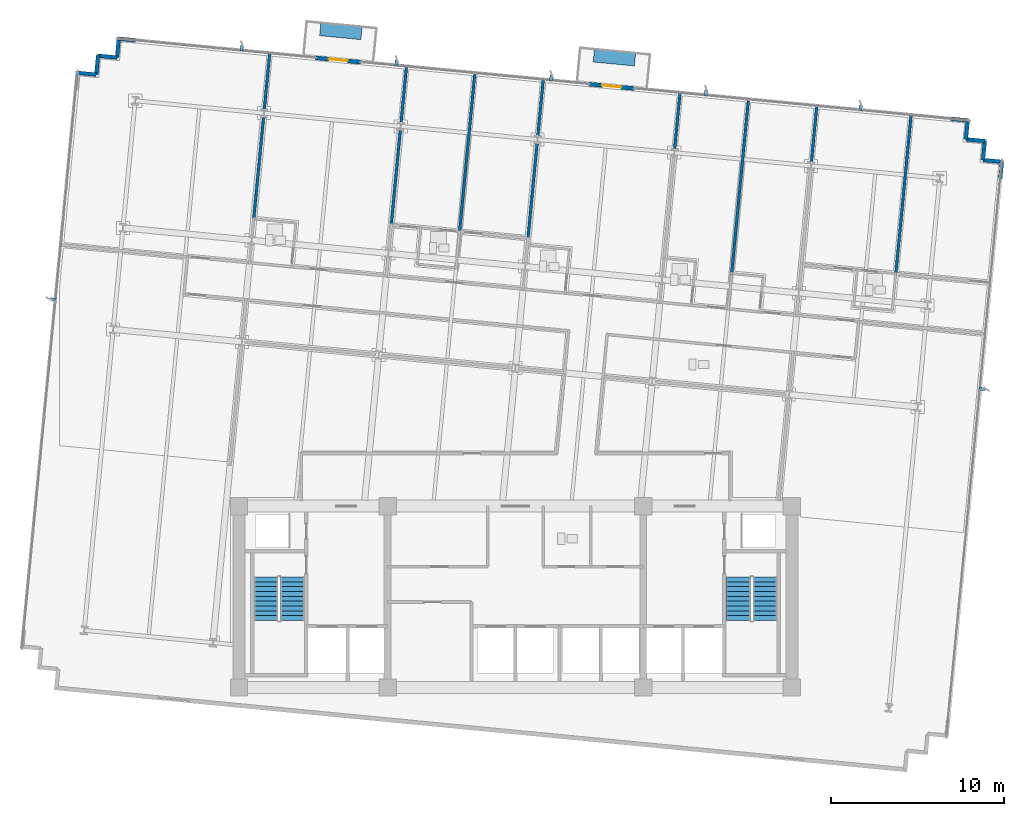
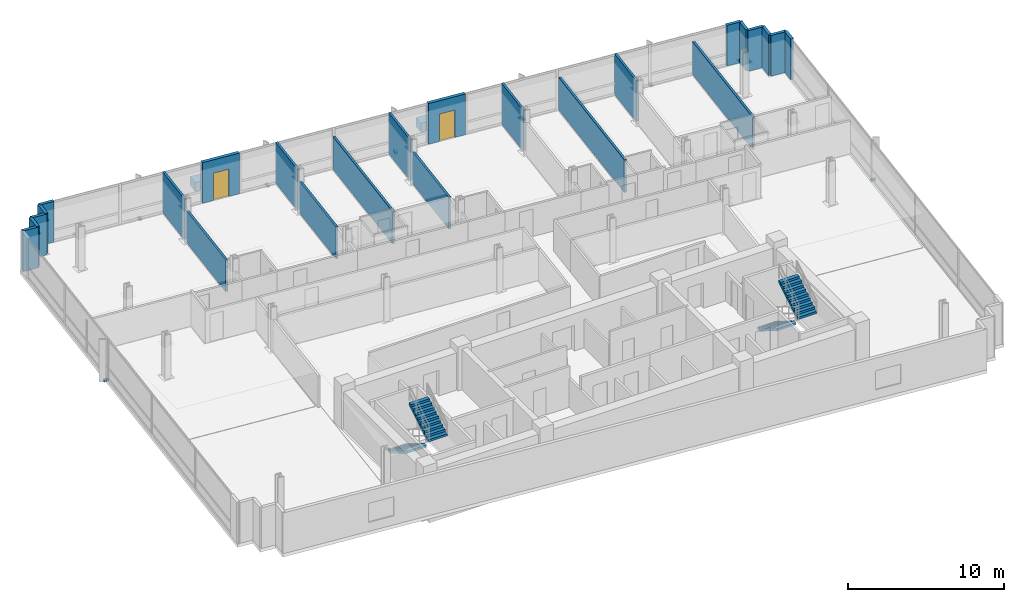
# One storey, part 13 of 17: 24 walls, 9 discrete accessories, 4 stair flights, 2 doors, 2 openings, 2 elements without a shape of their own.
"""IFC4 building model written with IfcOpenShell, lengths in metres."""

from ifc_helpers import new_model, si_unit, direction, frame, frame_2d, origin, origin_2d, place, context, subcontext, project, spatial, polyline, rectangle, outline, extrude, material, layer, layer_set, type_object, element, fill, aggregate, save


model = new_model("IFC4")

# Units and contexts
model_context = context("Model", 3, precision=1e-05, world=origin(), true_north=direction((0.0, 1.0)))
body_context = subcontext(model_context, "Body", "Model", "MODEL_VIEW")
ifc_project = project(units=[si_unit("LENGTHUNIT", "METRE"), si_unit("AREAUNIT", "SQUARE_METRE"), si_unit("VOLUMEUNIT", "CUBIC_METRE"), si_unit("PLANEANGLEUNIT", "RADIAN"), si_unit("MASSUNIT", "GRAM", prefix="KILO")], contexts=[model_context])

# Site, building, storey
site_placement = place(None, origin())
site = spatial("IfcSite", under=ifc_project, at=site_placement, CompositionType="ELEMENT")
building_placement = place(site_placement, origin())
building = spatial("IfcBuilding", under=site, at=building_placement, Name="Solmavex Isthmus Hotel", CompositionType="ELEMENT")
storey_placement = place(building_placement, frame((0.0, 0.0, 142.800048828125)))
storey = spatial("IfcBuildingStorey", under=building, at=storey_placement, Name="L38", CompositionType="ELEMENT", Elevation=142.800048828125)

# Wall, opening, door
ifc_material_1 = material(Name="Precast Concrete C40/50", Category="concrete")
ifc_layer_1 = layer(ifc_material_1, 0.25)
ifc_layer_set_1 = layer_set([ifc_layer_1], Name="Precast Concrete C40/50")
wall_type_1 = type_object("IfcWallType", Name="EW-TWR-250", PredefinedType="STANDARD", material=ifc_layer_set_1)
wall_1_placement = place(storey_placement, frame((-11.5634765625, 23.46142578125, 0.0), z_axis=(0.0, 0.0, 1.0), x_axis=(0.995402144456, -0.095783979938, 0.0)))
wall_1 = element("IfcWall", 1, at=wall_1_placement, inside=storey, type_object=wall_type_1, Name="Exterior Balcony Door Wall L38-2", PredefinedType="STANDARD", context=body_context, shape_type="SweptSolid", body=[
    extrude(rectangle(XDim=2.599853515625, YDim=0.239990234375, at=frame_2d((1.2998046875, 0.0))), origin(), (0.0, 0.0, 1.0), 3.18994140625),
])
opening_1_placement = place(wall_1_placement, frame((0.75, 0.0, 0.0)))
opening_1 = element("IfcOpeningElement", 2, at=opening_1_placement, cuts=wall_1, Name="Opening ED-02", PredefinedType="OPENING", context=body_context, shape_type="SweptSolid", body=[
    extrude(rectangle(XDim=1.10009765625, YDim=2.14990234375, at=frame_2d((0.550048828125, 1.074951171875))), frame((0.0, 0.1298828125, 0.0), z_axis=(0.0, -1.0, 0.0), x_axis=(1.0, 0.0, 0.0)), (0.0, 0.0, 1.0), 0.260009765625),
])
ifc_material_2 = material(Name="Aluminium alloy 6063-T6", Category="aluminium")
door_type = type_object("IfcDoorType", Name="EDR-BALC-1100", OperationType="NOTDEFINED", PredefinedType="DOOR", material=ifc_material_2)
door_1_placement = place(opening_1_placement, origin())
door_1 = element("IfcDoor", 3, at=door_1_placement, inside=storey, type_object=door_type, Name="Balcony & Terrace Glazed Door L38-2", OperationType="SINGLE_SWING_RIGHT", OverallHeight=2.14990234375, OverallWidth=1.10009765625, PredefinedType="DOOR", context=body_context, shape_type="SweptSolid", body=[
    extrude(rectangle(XDim=1.10009765625, YDim=2.14990234375, at=frame_2d((0.550048828125, 1.074951171875))), frame((0.0, 0.02490234375, 0.0), z_axis=(0.0, -1.0, 0.0), x_axis=(1.0, 0.0, 0.0)), (0.0, 0.0, 1.0), 0.050048828125),
])
fill(opening_1, door_1)

wall_2_placement = place(storey_placement, frame((4.275146484375, 21.9365234375, 0.0), z_axis=(0.0, 0.0, 1.0), x_axis=(0.995394049959, -0.095868061976, 0.0)))
wall_2 = element("IfcWall", 4, at=wall_2_placement, inside=storey, type_object=wall_type_1, Name="Exterior Balcony Door Wall L38-3", PredefinedType="STANDARD", context=body_context, shape_type="SweptSolid", body=[
    extrude(rectangle(XDim=2.60009765625, YDim=0.239990234375, at=frame_2d((1.300048828125, 0.0))), origin(), (0.0, 0.0, 1.0), 3.18994140625),
])
opening_2_placement = place(wall_2_placement, frame((0.75, 0.0, 0.0)))
opening_2 = element("IfcOpeningElement", 5, at=opening_2_placement, cuts=wall_2, Name="Opening ED-02", PredefinedType="OPENING", context=body_context, shape_type="SweptSolid", body=[
    extrude(rectangle(XDim=1.10009765625, YDim=2.14990234375, at=frame_2d((0.550048828125, 1.074951171875))), frame((0.0, 0.1298828125, 0.0), z_axis=(0.0, -1.0, 0.0), x_axis=(1.0, 0.0, 0.0)), (0.0, 0.0, 1.0), 0.260009765625),
])
door_2_placement = place(opening_2_placement, origin())
door_2 = element("IfcDoor", 6, at=door_2_placement, inside=storey, type_object=door_type, Name="Balcony & Terrace Glazed Door L38-3", OperationType="SINGLE_SWING_LEFT", OverallHeight=2.14990234375, OverallWidth=1.10009765625, PredefinedType="DOOR", context=body_context, shape_type="SweptSolid", body=[
    extrude(rectangle(XDim=1.10009765625, YDim=2.14990234375, at=frame_2d((0.550048828125, 1.074951171875))), frame((0.0, 0.02490234375, 0.0), z_axis=(0.0, -1.0, 0.0), x_axis=(1.0, 0.0, 0.0)), (0.0, 0.0, 1.0), 0.050048828125),
])
fill(opening_2, door_2)

# Walls
for number, where, z_axis, x_axis, name in (
    (7, (-25.366455078125, 22.59033203125, 0.0), (0.0, 0.0, 1.0), (0.995414313875, -0.095657429048, 0.0), "Serrated Corner Facade Panel L38-08"),
    (8, (-24.271484375, 22.485107421875, 0.0), (0.0, 0.0, 1.0), (0.095657429048, 0.995414313875, 0.0), "Serrated Corner Facade Panel L38-09"),
    (9, (-24.166259765625, 23.580078125, 0.0), (0.0, 0.0, 1.0), (0.995393156894, -0.095877334176, 0.0), "Serrated Corner Facade Panel L38-10"),
    (10, (-23.0712890625, 23.474609375, 0.0), (0.0, 0.0, 1.0), (0.095877334176, 0.995393156894, 0.0), "Serrated Corner Facade Panel L38-11"),
):
    element("IfcWall", number, at=place(storey_placement, frame(where, z_axis=z_axis, x_axis=x_axis)), inside=storey, type_object=wall_type_1, Name=name, PredefinedType="STANDARD", context=body_context, shape_type="SweptSolid", body=[
        extrude(rectangle(XDim=1.10009765625, YDim=0.219970703125, at=frame_2d((0.550048828125, 0.0))), origin(), (0.0, 0.0, 1.0), 3.18994140625),
    ])
for number, where, z_axis, x_axis, name in (
    (11, (-22.9658203125, 24.569580078125, 0.0), (0.0, 0.0, 1.0), (0.995387314086, -0.095937974524, 0.0), "Serrated Corner Facade Panel L38-12"),
    (12, (25.201416015625, 19.931396484375, 0.0), (0.0, 0.0, 1.0), (0.99541083642, -0.095693608655, 0.0), "Serrated Corner Facade Panel L38-14"),
):
    element("IfcWall", number, at=place(storey_placement, frame(where, z_axis=z_axis, x_axis=x_axis)), inside=storey, type_object=wall_type_1, Name=name, PredefinedType="STANDARD", context=body_context, shape_type="SweptSolid", body=[
        extrude(rectangle(XDim=0.989990234375, YDim=0.219970703125, at=frame_2d((0.4951171875, 0.0))), origin(), (0.0, 0.0, 1.0), 3.18994140625),
    ])
wall_3_placement = place(storey_placement, frame((26.186767578125, 19.836669921875, 0.0), z_axis=(0.0, 0.0, 1.0), x_axis=(-0.095657429048, -0.995414313875, 0.0)))
element("IfcWall", 13, at=wall_3_placement, inside=storey, type_object=wall_type_1, Name="Serrated Corner Facade Panel L38-15", PredefinedType="STANDARD", context=body_context, shape_type="SweptSolid", body=[
    extrude(rectangle(XDim=1.10009765625, YDim=0.219970703125, at=frame_2d((0.550048828125, 0.0))), origin(), (0.0, 0.0, 1.0), 3.18994140625),
])
wall_4_placement = place(storey_placement, frame((26.08154296875, 18.74169921875, 0.0), z_axis=(0.0, 0.0, 1.0), x_axis=(0.995391116058, -0.095898519656, 0.0)))
element("IfcWall", 14, at=wall_4_placement, inside=storey, type_object=wall_type_1, Name="Serrated Corner Facade Panel L38-16", PredefinedType="STANDARD", context=body_context, shape_type="SweptSolid", body=[
    extrude(rectangle(XDim=1.099853515625, YDim=0.219970703125, at=frame_2d((0.5498046875, 0.0))), origin(), (0.0, 0.0, 1.0), 3.18994140625),
])
wall_5_placement = place(storey_placement, frame((27.17626953125, 18.63623046875, 0.0), z_axis=(0.0, 0.0, 1.0), x_axis=(-0.095657429048, -0.995414313875, 0.0)))
element("IfcWall", 15, at=wall_5_placement, inside=storey, type_object=wall_type_1, Name="Serrated Corner Facade Panel L38-17", PredefinedType="STANDARD", context=body_context, shape_type="SweptSolid", body=[
    extrude(rectangle(XDim=1.10009765625, YDim=0.219970703125, at=frame_2d((0.550048828125, 0.0))), origin(), (0.0, 0.0, 1.0), 3.18994140625),
])
wall_6_placement = place(storey_placement, frame((27.071044921875, 17.541259765625, 0.0), z_axis=(0.0, 0.0, 1.0), x_axis=(0.995391116058, -0.095898519656, 0.0)))
element("IfcWall", 16, at=wall_6_placement, inside=storey, type_object=wall_type_1, Name="Serrated Corner Facade Panel L38-18", PredefinedType="STANDARD", context=body_context, shape_type="SweptSolid", body=[
    extrude(rectangle(XDim=1.099853515625, YDim=0.219970703125, at=frame_2d((0.5498046875, 0.0))), origin(), (0.0, 0.0, 1.0), 3.18994140625),
])
wall_7_placement = place(storey_placement, frame((28.165771484375, 17.435791015625, 0.0), z_axis=(0.0, 0.0, 1.0), x_axis=(-0.095693608655, -0.99541083642, 0.0)))
element("IfcWall", 17, at=wall_7_placement, inside=storey, type_object=wall_type_1, Name="Serrated Corner Facade Panel L38-19", PredefinedType="STANDARD", context=body_context, shape_type="SweptSolid", body=[
    extrude(rectangle(XDim=0.989990234375, YDim=0.219970703125, at=frame_2d((0.4951171875, 0.0))), origin(), (0.0, 0.0, 1.0), 3.18994140625),
])
ifc_material_3 = material(Name="Gypsum plasterboard lining", Category="gypsum")
ifc_layer_2 = layer(ifc_material_3, 0.159912109375)
ifc_layer_set_2 = layer_set([ifc_layer_2], Name="Gypsum plasterboard lining")
wall_type_2 = type_object("IfcWallType", Name="IW-COMP-160", PredefinedType="PARTITIONING", material=ifc_layer_set_2)
wall_8_placement = place(storey_placement, frame((-14.57958984375, 20.0791015625, 0.0), z_axis=(0.0, 0.0, 1.0), x_axis=(-0.095823018237, -0.995398387168, 0.0)))
element("IfcWall", 18, at=wall_8_placement, inside=storey, type_object=wall_type_2, Name="Interior Partition Wall W-L38-P026", PredefinedType="PARTITIONING", context=body_context, shape_type="SweptSolid", body=[
    extrude(rectangle(XDim=6.05615234375, YDim=0.159912109375, at=frame_2d((3.028076171875, 0.0))), origin(), (0.0, 0.0, 1.0), 2.4794921875),
])
wall_9_placement = place(storey_placement, frame((-14.225341796875, 23.758056640625, 0.0), z_axis=(0.0, 0.0, 1.0), x_axis=(-0.095859866796, -0.995394839216, 0.0)))
element("IfcWall", 19, at=wall_9_placement, inside=storey, type_object=wall_type_2, Name="Interior Partition Wall W-L38-P027", PredefinedType="PARTITIONING", context=body_context, shape_type="SweptSolid", body=[
    extrude(rectangle(XDim=3.343994140625, YDim=0.159912109375, at=frame_2d((1.671875, 0.0))), origin(), (0.0, 0.0, 1.0), 3.18994140625),
])
wall_10_placement = place(storey_placement, frame((-6.66015625, 19.31640625, 0.0), z_axis=(0.0, 0.0, 1.0), x_axis=(-0.095877964448, -0.995393096185, 0.0)))
element("IfcWall", 20, at=wall_10_placement, inside=storey, type_object=wall_type_2, Name="Interior Partition Wall W-L38-P035", PredefinedType="PARTITIONING", context=body_context, shape_type="SweptSolid", body=[
    extrude(rectangle(XDim=5.64794921875, YDim=0.159912109375, at=frame_2d((2.823974609375, 0.0))), origin(), (0.0, 0.0, 1.0), 2.4794921875),
])
wall_11_placement = place(storey_placement, frame((-6.305908203125, 22.995361328125, 0.0), z_axis=(0.0, 0.0, 1.0), x_axis=(-0.095859866796, -0.995394839216, 0.0)))
element("IfcWall", 21, at=wall_11_placement, inside=storey, type_object=wall_type_2, Name="Interior Partition Wall W-L38-P036", PredefinedType="PARTITIONING", context=body_context, shape_type="SweptSolid", body=[
    extrude(rectangle(XDim=3.343994140625, YDim=0.159912109375, at=frame_2d((1.671875, 0.0))), origin(), (0.0, 0.0, 1.0), 3.18994140625),
])
wall_12_placement = place(storey_placement, frame((-2.35791015625, 22.49462890625, 0.0), z_axis=(0.0, 0.0, 1.0), x_axis=(-0.095827921947, -0.995397915095, 0.0)))
element("IfcWall", 22, at=wall_12_placement, inside=storey, type_object=wall_type_2, Name="Interior Partition Wall W-L38-P044", PredefinedType="PARTITIONING", context=body_context, shape_type="SweptSolid", body=[
    extrude(rectangle(XDim=9.181884765625, YDim=0.159912109375, at=frame_2d((4.5908203125, 0.0))), origin(), (0.0, 0.0, 1.0), 2.557373046875),
])
wall_13_placement = place(storey_placement, frame((1.259033203125, 18.553955078125, 0.0), z_axis=(0.0, 0.0, 1.0), x_axis=(-0.095807834241, -0.995399848753, 0.0)))
element("IfcWall", 23, at=wall_13_placement, inside=storey, type_object=wall_type_2, Name="Interior Partition Wall W-L38-P046", PredefinedType="PARTITIONING", context=body_context, shape_type="SweptSolid", body=[
    extrude(rectangle(XDim=5.606201171875, YDim=0.159912109375, at=frame_2d((2.80322265625, 0.0))), origin(), (0.0, 0.0, 1.0), 2.4794921875),
])
for number, where, z_axis, x_axis, name in (
    (24, (1.61328125, 22.23291015625, 0.0), (0.0, 0.0, 1.0), (-0.095787528641, -0.99540180297, 0.0), "Interior Partition Wall W-L38-P047"),
    (25, (9.53271484375, 21.470458984375, 0.0), (0.0, 0.0, 1.0), (-0.095859866796, -0.995394839216, 0.0), "Interior Partition Wall W-L38-P051"),
):
    element("IfcWall", number, at=place(storey_placement, frame(where, z_axis=z_axis, x_axis=x_axis)), inside=storey, type_object=wall_type_2, Name=name, PredefinedType="PARTITIONING", context=body_context, shape_type="SweptSolid", body=[
        extrude(rectangle(XDim=3.343994140625, YDim=0.159912109375, at=frame_2d((1.671875, 0.0))), origin(), (0.0, 0.0, 1.0), 3.18994140625),
    ])
wall_14_placement = place(storey_placement, frame((13.48095703125, 20.9697265625, 0.0), z_axis=(0.0, 0.0, 1.0), x_axis=(-0.095852900965, -0.995395510024, 0.0)))
element("IfcWall", 26, at=wall_14_placement, inside=storey, type_object=wall_type_2, Name="Interior Partition Wall W-L38-P056", PredefinedType="PARTITIONING", context=body_context, shape_type="SweptSolid", body=[
    extrude(rectangle(XDim=10.132080078125, YDim=0.159912109375, at=frame_2d((5.06591796875, 0.0))), origin(), (0.0, 0.0, 1.0), 2.557373046875),
])
wall_15_placement = place(storey_placement, frame((17.4521484375, 20.707763671875, 0.0), z_axis=(0.0, 0.0, 1.0), x_axis=(-0.095859866796, -0.995394839216, 0.0)))
element("IfcWall", 27, at=wall_15_placement, inside=storey, type_object=wall_type_2, Name="Interior Partition Wall W-L38-P063", PredefinedType="PARTITIONING", context=body_context, shape_type="SweptSolid", body=[
    extrude(rectangle(XDim=3.343994140625, YDim=0.159912109375, at=frame_2d((1.671875, 0.0))), origin(), (0.0, 0.0, 1.0), 3.18994140625),
])
wall_16_placement = place(storey_placement, frame((22.910888671875, 20.18212890625, 0.0), z_axis=(0.0, 0.0, 1.0), x_axis=(-0.095851937807, -0.995395602772, 0.0)))
element("IfcWall", 28, at=wall_16_placement, inside=storey, type_object=wall_type_2, Name="Interior Partition Wall W-L38-P070", PredefinedType="PARTITIONING", context=body_context, shape_type="SweptSolid", body=[
    extrude(rectangle(XDim=9.3017578125, YDim=0.159912109375, at=frame_2d((4.65087890625, 0.0))), origin(), (0.0, 0.0, 1.0), 2.557373046875),
])

# Stair, stair flights
ifc_material_4 = material(Name="Concrete C40/50", Category="concrete")
stair_type_1 = type_object("IfcStairType", Name="STR-ST-1", PredefinedType="HALF_TURN_STAIR", material=ifc_material_4)
stair_1_placement = place(storey_placement, origin())
stair_1 = element("IfcStair", 29, at=stair_1_placement, inside=storey, type_object=stair_type_1, Name="L38 Protected Exit Stair ST-1", PredefinedType="HALF_TURN_STAIR")
stair_flight_type_1 = type_object("IfcStairFlightType", Name="SFL-ST-1", PredefinedType="STRAIGHT", material=ifc_material_4)
stair_flight_1_placement = place(storey_placement, frame((-14.449951171875, -6.60009765625, 0.0), z_axis=(0.0, 0.0, 1.0), x_axis=(0.0, -1.0, 0.0)))
stair_flight_1 = element("IfcStairFlight", 30, at=stair_flight_1_placement, type_object=stair_flight_type_1, Name="ST-1 flight 1", NumberOfRisers=10, NumberOfTreads=9, PredefinedType="STRAIGHT", RiserHeight=0.1725, TreadLength=0.28, context=body_context, shape_type="SweptSolid", body=[
    extrude(outline(polyline([(0.0, 0.0), (0.0, 0.172607421875), (0.280029296875, 0.172607421875), (0.280029296875, 0.344970703125), (0.56005859375, 0.344970703125), (0.56005859375, 0.517578125), (0.840087890625, 0.517578125), (0.840087890625, 0.68994140625), (1.1201171875, 0.68994140625), (1.1201171875, 0.862548828125), (1.39990234375, 0.862548828125), (1.39990234375, 1.034912109375), (1.679931640625, 1.034912109375), (1.679931640625, 1.20751953125), (1.9599609375, 1.20751953125), (1.9599609375, 1.3798828125), (2.239990234375, 1.3798828125), (2.239990234375, 1.552490234375), (2.52001953125, 1.552490234375), (2.52001953125, 1.72509765625), (2.52001953125, 1.37646484375), (0.285888671875, 0.0), (0.0, 0.0)])), frame((0.0, 0.699951171875, 0.0), z_axis=(0.0, -1.0, 0.0), x_axis=(1.0, 0.0, 0.0)), (0.0, 0.0, 1.0), 1.39990234375),
])
stair_flight_2_placement = place(storey_placement, frame((-12.89990234375, -9.1201171875, 1.724853515625), z_axis=(0.0, 0.0, 1.0), x_axis=(0.0, 1.0, 0.0)))
stair_flight_2 = element("IfcStairFlight", 31, at=stair_flight_2_placement, type_object=stair_flight_type_1, Name="ST-1 flight 2", NumberOfRisers=10, NumberOfTreads=9, PredefinedType="STRAIGHT", RiserHeight=0.1725, TreadLength=0.28, context=body_context, shape_type="SweptSolid", body=[
    extrude(outline(polyline([(0.0, 0.0), (0.0, 0.172607421875), (0.280029296875, 0.172607421875), (0.280029296875, 0.344970703125), (0.56005859375, 0.344970703125), (0.56005859375, 0.517578125), (0.840087890625, 0.517578125), (0.840087890625, 0.68994140625), (1.1201171875, 0.68994140625), (1.1201171875, 0.862548828125), (1.39990234375, 0.862548828125), (1.39990234375, 1.034912109375), (1.679931640625, 1.034912109375), (1.679931640625, 1.20751953125), (1.9599609375, 1.20751953125), (1.9599609375, 1.3798828125), (2.239990234375, 1.3798828125), (2.239990234375, 1.552490234375), (2.52001953125, 1.552490234375), (2.52001953125, 1.72509765625), (2.52001953125, 1.37646484375), (0.285888671875, 0.0), (0.0, 0.0)])), frame((0.0, 0.699951171875, 0.0), z_axis=(0.0, -1.0, 0.0), x_axis=(1.0, 0.0, 0.0)), (0.0, 0.0, 1.0), 1.39990234375),
])
aggregate(stair_1, [stair_flight_1, stair_flight_2])

stair_type_2 = type_object("IfcStairType", Name="STR-ST-2", PredefinedType="HALF_TURN_STAIR", material=ifc_material_4)
stair_2_placement = place(storey_placement, origin())
stair_2 = element("IfcStair", 32, at=stair_2_placement, inside=storey, type_object=stair_type_2, Name="L38 Protected Exit Stair ST-2", PredefinedType="HALF_TURN_STAIR")
stair_flight_type_2 = type_object("IfcStairFlightType", Name="SFL-ST-2", PredefinedType="STRAIGHT", material=ifc_material_4)
stair_flight_3_placement = place(storey_placement, frame((12.89990234375, -6.60009765625, 0.0), z_axis=(0.0, 0.0, 1.0), x_axis=(0.0, -1.0, 0.0)))
stair_flight_3 = element("IfcStairFlight", 33, at=stair_flight_3_placement, type_object=stair_flight_type_2, Name="ST-2 flight 1", NumberOfRisers=10, NumberOfTreads=9, PredefinedType="STRAIGHT", RiserHeight=0.1725, TreadLength=0.28, context=body_context, shape_type="SweptSolid", body=[
    extrude(outline(polyline([(0.0, 0.0), (0.0, 0.172607421875), (0.280029296875, 0.172607421875), (0.280029296875, 0.344970703125), (0.56005859375, 0.344970703125), (0.56005859375, 0.517578125), (0.840087890625, 0.517578125), (0.840087890625, 0.68994140625), (1.1201171875, 0.68994140625), (1.1201171875, 0.862548828125), (1.39990234375, 0.862548828125), (1.39990234375, 1.034912109375), (1.679931640625, 1.034912109375), (1.679931640625, 1.20751953125), (1.9599609375, 1.20751953125), (1.9599609375, 1.3798828125), (2.239990234375, 1.3798828125), (2.239990234375, 1.552490234375), (2.52001953125, 1.552490234375), (2.52001953125, 1.72509765625), (2.52001953125, 1.37646484375), (0.285888671875, 0.0), (0.0, 0.0)])), frame((0.0, 0.699951171875, 0.0), z_axis=(0.0, -1.0, 0.0), x_axis=(1.0, 0.0, 0.0)), (0.0, 0.0, 1.0), 1.39990234375),
])
stair_flight_4_placement = place(storey_placement, frame((14.449951171875, -9.1201171875, 1.724853515625), z_axis=(0.0, 0.0, 1.0), x_axis=(0.0, 1.0, 0.0)))
stair_flight_4 = element("IfcStairFlight", 34, at=stair_flight_4_placement, type_object=stair_flight_type_2, Name="ST-2 flight 2", NumberOfRisers=10, NumberOfTreads=9, PredefinedType="STRAIGHT", RiserHeight=0.1725, TreadLength=0.28, context=body_context, shape_type="SweptSolid", body=[
    extrude(outline(polyline([(0.0, 0.0), (0.0, 0.172607421875), (0.280029296875, 0.172607421875), (0.280029296875, 0.344970703125), (0.56005859375, 0.344970703125), (0.56005859375, 0.517578125), (0.840087890625, 0.517578125), (0.840087890625, 0.68994140625), (1.1201171875, 0.68994140625), (1.1201171875, 0.862548828125), (1.39990234375, 0.862548828125), (1.39990234375, 1.034912109375), (1.679931640625, 1.034912109375), (1.679931640625, 1.20751953125), (1.9599609375, 1.20751953125), (1.9599609375, 1.3798828125), (2.239990234375, 1.3798828125), (2.239990234375, 1.552490234375), (2.52001953125, 1.552490234375), (2.52001953125, 1.72509765625), (2.52001953125, 1.37646484375), (0.285888671875, 0.0), (0.0, 0.0)])), frame((0.0, 0.699951171875, 0.0), z_axis=(0.0, -1.0, 0.0), x_axis=(1.0, 0.0, 0.0)), (0.0, 0.0, 1.0), 1.39990234375),
])
aggregate(stair_2, [stair_flight_3, stair_flight_4])

# Discrete accessories
ifc_material_5 = material(Name="Steel ASTM A572 Grade 50", Category="steel")
discrete_accessory_type_1 = type_object("IfcDiscreteAccessoryType", Name="ACC-BRK-FIN", PredefinedType="BRACKET", material=ifc_material_5)
for number, where, z_axis, x_axis, name in (
    (35, (-15.84619140625, 24.0146484375, -0.169921875), (0.0, 0.0, 1.0), (0.09584575252, 0.995396198367, 0.0), "Facade Fin Support Bracket L38-N1"),
    (36, (-6.8876953125, 23.15185546875, -0.169921875), (0.0, 0.0, 1.0), (0.09584575252, 0.995396198367, 0.0), "Facade Fin Support Bracket L38-N2"),
    (37, (2.07080078125, 22.289306640625, -0.169921875), (0.0, 0.0, 1.0), (0.09584575252, 0.995396198367, 0.0), "Facade Fin Support Bracket L38-N3"),
    (38, (11.029541015625, 21.4267578125, -0.169921875), (0.0, 0.0, 1.0), (0.09584575252, 0.995396198367, 0.0), "Facade Fin Support Bracket L38-N4"),
    (39, (19.988037109375, 20.56396484375, -0.169921875), (0.0, 0.0, 1.0), (0.09584575252, 0.995396198367, 0.0), "Facade Fin Support Bracket L38-N5"),
    (40, (-26.76025390625, 9.4736328125, -0.169921875), (0.0, 0.0, 1.0), (-0.995396198367, 0.09584575252, 0.0), "Facade Fin Support Bracket L38-W1"),
    (41, (27.031005859375, 4.294189453125, -0.169921875), (0.0, 0.0, 1.0), (0.995396198367, -0.09584575252, 0.0), "Facade Fin Support Bracket L38-E1"),
):
    element("IfcDiscreteAccessory", number, at=place(storey_placement, frame(where, z_axis=z_axis, x_axis=x_axis)), inside=storey, type_object=discrete_accessory_type_1, Name=name, PredefinedType="BRACKET", context=body_context, shape_type="SweptSolid", body=[
        extrude(rectangle(XDim=0.340087890625, YDim=0.179931640625, at=origin_2d()), origin(), (0.0, 0.0, 1.0), 0.159912109375),
    ])
discrete_accessory_type_2 = type_object("IfcDiscreteAccessoryType", Name="ACC-PLN-BALC", PredefinedType="USERDEFINED", material=ifc_material_1)
for number, where, z_axis, x_axis, name in (
    (42, (-10.109375, 24.999267578125, 0.0), (0.0, 0.0, 1.0), (0.995396198367, -0.09584575252, 0.0), "Tree-Balcony Architectural Planter L38-B1"),
    (43, (5.729248046875, 23.47412109375, 0.0), (0.0, 0.0, 1.0), (0.995396198367, -0.09584575252, 0.0), "Tree-Balcony Architectural Planter L38-B2"),
):
    element("IfcDiscreteAccessory", number, at=place(storey_placement, frame(where, z_axis=z_axis, x_axis=x_axis)), inside=storey, type_object=discrete_accessory_type_2, Name=name, ObjectType="PLANTER", PredefinedType="USERDEFINED", context=body_context, shape_type="SweptSolid", body=[
        extrude(rectangle(XDim=2.39990234375, YDim=0.75, at=origin_2d()), origin(), (0.0, 0.0, 1.0), 0.699951171875),
    ])

save(model, "model.ifc")
